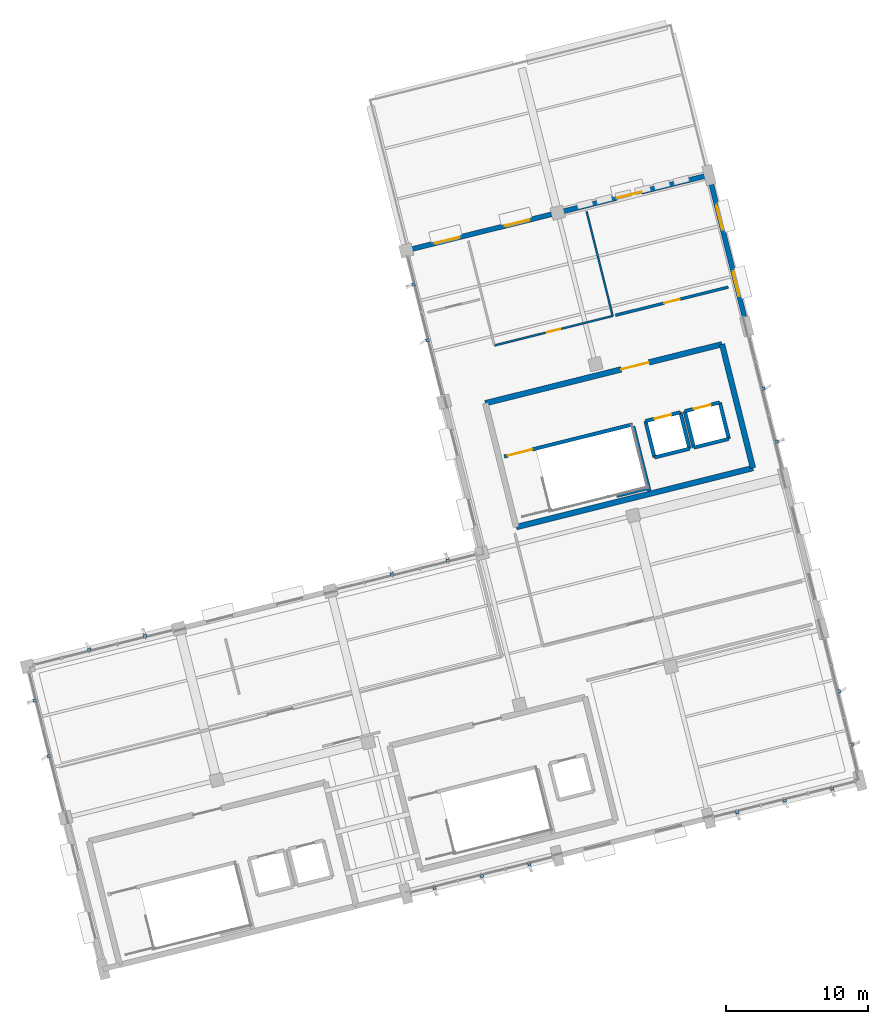
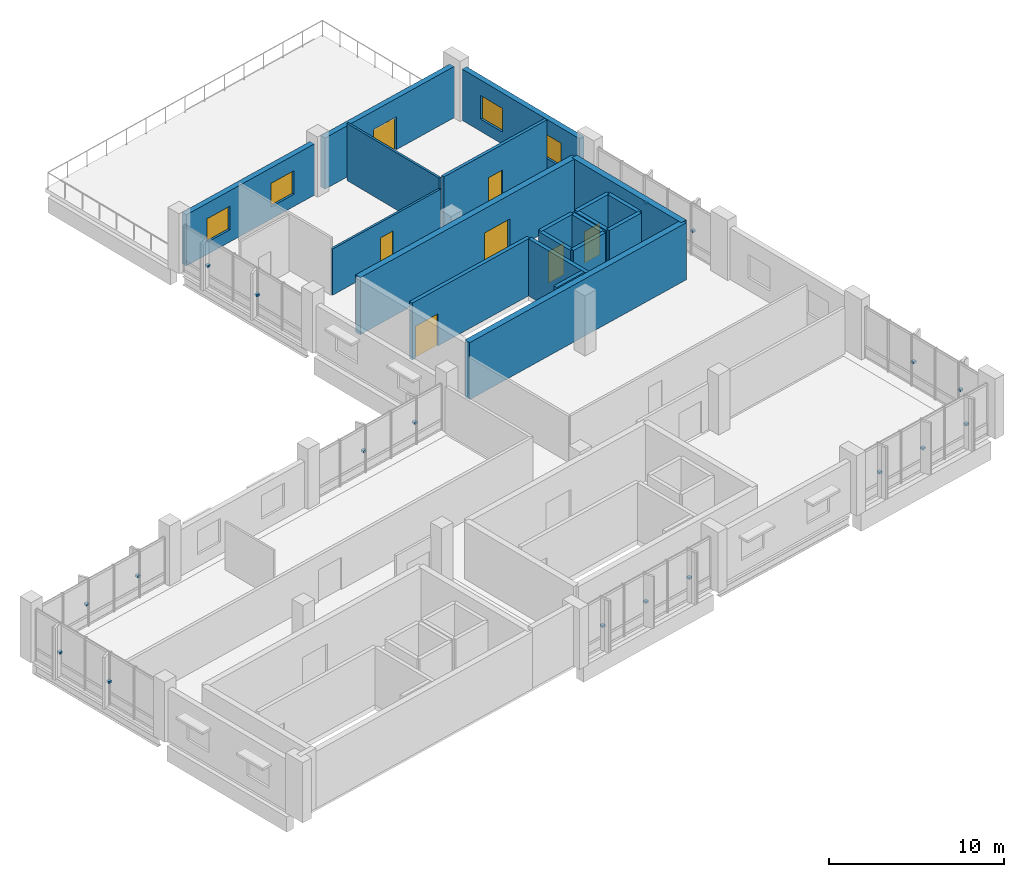
# One storey, part 20 of 22: 20 walls, 18 discrete accessories, 7 doors, 4 windows, 11 openings.
"""IFC4 building model written with IfcOpenShell, lengths in metres."""

from ifc_helpers import new_model, si_unit, direction, frame, frame_2d, origin, origin_2d, place, context, subcontext, project, spatial, rectangle, extrude, material, layer, layer_set, type_object, element, fill, save


model = new_model("IFC4")

# Units and contexts
model_context = context("Model", 3, precision=1e-05, world=origin(), true_north=direction((0.0, 1.0)))
body_context = subcontext(model_context, "Body", "Model", "MODEL_VIEW")
ifc_project = project(units=[si_unit("LENGTHUNIT", "METRE"), si_unit("AREAUNIT", "SQUARE_METRE"), si_unit("VOLUMEUNIT", "CUBIC_METRE"), si_unit("PLANEANGLEUNIT", "RADIAN"), si_unit("MASSUNIT", "GRAM", prefix="KILO")], contexts=[model_context])

# Site, building, storey
site_placement = place(None, origin())
site = spatial("IfcSite", under=ifc_project, at=site_placement, CompositionType="ELEMENT")
building_placement = place(site_placement, origin())
building = spatial("IfcBuilding", under=site, at=building_placement, Name="Khorjan Park Terminus", CompositionType="ELEMENT")
storey_placement = place(building_placement, frame((0.0, 0.0, 24.6)))
storey = spatial("IfcBuildingStorey", under=building, at=storey_placement, Name="L05", CompositionType="ELEMENT", Elevation=24.6)

# Walls
ifc_material_1 = material(Name="Concrete C50/60", Category="concrete")
ifc_layer_1 = layer(ifc_material_1, 0.4)
ifc_layer_set_1 = layer_set([ifc_layer_1], Name="Concrete C50/60")
wall_type_1 = type_object("IfcWallType", Name="CW-40", PredefinedType="SHEAR", material=ifc_layer_set_1)
wall_1_placement = place(storey_placement, frame((205.7973, 35.8328, 0.0), z_axis=(0.0, 0.0, 1.0), x_axis=(0.970295179998, 0.241924086589, 0.0)))
element("IfcWall", 1, at=wall_1_placement, inside=storey, type_object=wall_type_1, Name="Operations North-East Firefighting Core concrete shear wall CW-40 (L05-E1)", PredefinedType="SHEAR", context=body_context, shape_type="SweptSolid", body=[
    extrude(rectangle(XDim=17.2, YDim=0.4, at=frame_2d((8.6, 0.0))), origin(), (0.0, 0.0, 1.0), 3.98),
])
wall_2_placement = place(storey_placement, frame((222.4864, 39.9939, 0.0), z_axis=(0.0, 0.0, 1.0), x_axis=(-0.241923808098, 0.970295249435, 0.0)))
element("IfcWall", 2, at=wall_2_placement, inside=storey, type_object=wall_type_1, Name="Operations North-East Firefighting Core concrete shear wall CW-40 (L05-E2)", PredefinedType="SHEAR", context=body_context, shape_type="SweptSolid", body=[
    extrude(rectangle(XDim=8.9999, YDim=0.4, at=frame_2d((4.5, 0.0))), origin(), (0.0, 0.0, 1.0), 3.98),
])

# Wall, opening, door
wall_3_placement = place(storey_placement, frame((220.3091, 48.7265, 0.0), z_axis=(0.0, 0.0, 1.0), x_axis=(-0.970296544738, -0.241918612906, 0.0)))
wall_3 = element("IfcWall", 3, at=wall_3_placement, inside=storey, type_object=wall_type_1, Name="Operations North-East Firefighting Core concrete shear wall CW-40 (L05-E3)", PredefinedType="SHEAR", context=body_context, shape_type="SweptSolid", body=[
    extrude(rectangle(XDim=17.2, YDim=0.4, at=frame_2d((8.6, 0.0))), origin(), (0.0, 0.0, 1.0), 3.98),
])
opening_1_placement = place(wall_3_placement, frame((5.32, 0.0, 0.0)))
opening_1 = element("IfcOpeningElement", 4, at=opening_1_placement, cuts=wall_3, Name="Opening FD-20", PredefinedType="OPENING", context=body_context, shape_type="SweptSolid", body=[
    extrude(rectangle(XDim=2.0, YDim=2.3, at=frame_2d((1.0, 1.15))), frame((0.0, 0.21, 0.0), z_axis=(0.0, -1.0, 0.0), x_axis=(1.0, 0.0, 0.0)), (0.0, 0.0, 1.0), 0.42),
])
ifc_material_2 = material(Name="Fire-Rated Steel Double Door", Category="steel")
door_type_1 = type_object("IfcDoorType", Name="FD-20", OperationType="NOTDEFINED", PredefinedType="DOOR", material=ifc_material_2)
door_1_placement = place(opening_1_placement, origin())
door_1 = element("IfcDoor", 5, at=door_1_placement, inside=storey, type_object=door_type_1, Name="Operations North-East Firefighting Core fire-rated exit door FD-20 (L05)", OperationType="DOUBLE_DOOR_SINGLE_SWING", OverallHeight=2.3, OverallWidth=2.0, PredefinedType="DOOR", context=body_context, shape_type="SweptSolid", body=[
    extrude(rectangle(XDim=2.0, YDim=2.3, at=frame_2d((1.0, 1.15))), frame((0.0, 0.025, 0.0), z_axis=(0.0, -1.0, 0.0), x_axis=(1.0, 0.0, 0.0)), (0.0, 0.0, 1.0), 0.05),
])
fill(opening_1, door_1)

# Wall, openings, windows
ifc_material_3 = material(Name="Pigmented Precast GRC & Concrete C40/50", Category="concrete")
ifc_layer_2 = layer(ifc_material_3, 0.35)
ifc_layer_set_2 = layer_set([ifc_layer_2], Name="Pigmented Precast GRC & Concrete C40/50")
wall_type_2 = type_object("IfcWallType", Name="EW-35", PredefinedType="STANDARD", material=ifc_layer_set_2)
wall_4_placement = place(storey_placement, frame((221.8951, 50.6322, 0.0), z_axis=(0.0, 0.0, 1.0), x_axis=(-0.241910213289, 0.970298638929, 0.0)))
wall_4 = element("IfcWall", 6, at=wall_4_placement, inside=storey, type_object=wall_type_2, Name="External pigmented-GRC insulated wall EW-35 (EW-V5-E-L05-B04)", PredefinedType="STANDARD", context=body_context, shape_type="SweptSolid", body=[
    extrude(rectangle(XDim=9.6697, YDim=0.35, at=frame_2d((4.8349, 0.0))), origin(), (0.0, 0.0, 1.0), 3.575),
])
opening_2_placement = place(wall_4_placement, frame((1.5174, 0.0, 0.85)))
opening_2 = element("IfcOpeningElement", 7, at=opening_2_placement, cuts=wall_4, Name="Opening WN-18", PredefinedType="OPENING", context=body_context, shape_type="SweptSolid", body=[
    extrude(rectangle(XDim=1.8, YDim=1.65, at=frame_2d((0.9, 0.825))), frame((0.0, 0.185, 0.0), z_axis=(0.0, -1.0, 0.0), x_axis=(1.0, 0.0, 0.0)), (0.0, 0.0, 1.0), 0.37),
])
opening_3_placement = place(wall_4_placement, frame((6.3523, 0.0, 0.85)))
opening_3 = element("IfcOpeningElement", 8, at=opening_3_placement, cuts=wall_4, Name="Opening WN-18", PredefinedType="OPENING", context=body_context, shape_type="SweptSolid", body=[
    extrude(rectangle(XDim=1.8, YDim=1.65, at=frame_2d((0.9, 0.825))), frame((0.0, 0.185, 0.0), z_axis=(0.0, -1.0, 0.0), x_axis=(1.0, 0.0, 0.0)), (0.0, 0.0, 1.0), 0.37),
])
ifc_material_4 = material(Name="Anodized Bronze Aluminium & Low-E Glass", Category="aluminium")
window_type = type_object("IfcWindowType", Name="WN-18", PartitioningType="SINGLE_PANEL", PredefinedType="WINDOW", material=ifc_material_4)
window_1_placement = place(opening_2_placement, origin())
window_1 = element("IfcWindow", 9, at=window_1_placement, inside=storey, type_object=window_type, Name="Solar-control exterior window WN-18 (WN-EW-V5-E-L05-B04-1)", OverallHeight=1.65, OverallWidth=1.8, PartitioningType="SINGLE_PANEL", PredefinedType="WINDOW", context=body_context, shape_type="SweptSolid", body=[
    extrude(rectangle(XDim=1.8, YDim=1.65, at=frame_2d((0.9, 0.825))), frame((0.0, 0.03, 0.0), z_axis=(0.0, -1.0, 0.0), x_axis=(1.0, 0.0, 0.0)), (0.0, 0.0, 1.0), 0.06),
])
fill(opening_2, window_1)
window_2_placement = place(opening_3_placement, origin())
window_2 = element("IfcWindow", 10, at=window_2_placement, inside=storey, type_object=window_type, Name="Solar-control exterior window WN-18 (WN-EW-V5-E-L05-B04-2)", OverallHeight=1.65, OverallWidth=1.8, PartitioningType="SINGLE_PANEL", PredefinedType="WINDOW", context=body_context, shape_type="SweptSolid", body=[
    extrude(rectangle(XDim=1.8, YDim=1.65, at=frame_2d((0.9, 0.825))), frame((0.0, 0.03, 0.0), z_axis=(0.0, -1.0, 0.0), x_axis=(1.0, 0.0, 0.0)), (0.0, 0.0, 1.0), 0.06),
])
fill(opening_3, window_2)

# Wall, opening, door
wall_5_placement = place(storey_placement, frame((219.0894, 60.5837, 0.0), z_axis=(0.0, 0.0, 1.0), x_axis=(-0.970295240562, -0.241923843686, 0.0)))
wall_5 = element("IfcWall", 11, at=wall_5_placement, inside=storey, type_object=wall_type_2, Name="External pigmented-GRC insulated wall EW-35 (EW-V5-N-L05-B01)", PredefinedType="STANDARD", context=body_context, shape_type="SweptSolid", body=[
    extrude(rectangle(XDim=10.2698, YDim=0.35, at=frame_2d((5.1349, 0.0))), origin(), (0.0, 0.0, 1.0), 3.575),
])
opening_4_placement = place(wall_5_placement, frame((4.6, 0.0, 0.0)))
opening_4 = element("IfcOpeningElement", 12, at=opening_4_placement, cuts=wall_5, Name="Opening ED-18", PredefinedType="OPENING", context=body_context, shape_type="SweptSolid", body=[
    extrude(rectangle(XDim=1.8, YDim=2.3, at=frame_2d((0.9, 1.15))), frame((0.0, 0.185, 0.0), z_axis=(0.0, -1.0, 0.0), x_axis=(1.0, 0.0, 0.0)), (0.0, 0.0, 1.0), 0.37),
])
ifc_material_5 = material(Name="Anodized Bronze Aluminium & Safety Glass", Category="aluminium")
door_type_2 = type_object("IfcDoorType", Name="ED-18", OperationType="NOTDEFINED", PredefinedType="DOOR", material=ifc_material_5)
door_2_placement = place(opening_4_placement, origin())
door_2 = element("IfcDoor", 13, at=door_2_placement, inside=storey, type_object=door_type_2, Name="Exterior door ED-18 (DR-EW-V5-N-L05-B01)", OperationType="DOUBLE_DOOR_SINGLE_SWING", OverallHeight=2.3, OverallWidth=1.8, PredefinedType="DOOR", context=body_context, shape_type="SweptSolid", body=[
    extrude(rectangle(XDim=1.8, YDim=2.3, at=frame_2d((0.9, 1.15))), frame((0.0, 0.025, 0.0), z_axis=(0.0, -1.0, 0.0), x_axis=(1.0, 0.0, 0.0)), (0.0, 0.0, 1.0), 0.05),
])
fill(opening_4, door_2)

# Wall, openings, windows
wall_6_placement = place(storey_placement, frame((208.3194, 57.8984, 0.0), z_axis=(0.0, 0.0, 1.0), x_axis=(-0.970296149297, -0.241920198949, 0.0)))
wall_6 = element("IfcWall", 14, at=wall_6_placement, inside=storey, type_object=wall_type_2, Name="External pigmented-GRC insulated wall EW-35 (EW-V5-N-L05-B02)", PredefinedType="STANDARD", context=body_context, shape_type="SweptSolid", body=[
    extrude(rectangle(XDim=10.1707, YDim=0.35, at=frame_2d((5.0854, 0.0))), origin(), (0.0, 0.0, 1.0), 3.575),
])
opening_5_placement = place(wall_6_placement, frame((1.6427, 0.0, 0.85)))
opening_5 = element("IfcOpeningElement", 15, at=opening_5_placement, cuts=wall_6, Name="Opening WN-18", PredefinedType="OPENING", context=body_context, shape_type="SweptSolid", body=[
    extrude(rectangle(XDim=1.8, YDim=1.65, at=frame_2d((0.9, 0.825))), frame((0.0, 0.185, 0.0), z_axis=(0.0, -1.0, 0.0), x_axis=(1.0, 0.0, 0.0)), (0.0, 0.0, 1.0), 0.37),
])
opening_6_placement = place(wall_6_placement, frame((6.728, 0.0, 0.85)))
opening_6 = element("IfcOpeningElement", 16, at=opening_6_placement, cuts=wall_6, Name="Opening WN-18", PredefinedType="OPENING", context=body_context, shape_type="SweptSolid", body=[
    extrude(rectangle(XDim=1.8, YDim=1.65, at=frame_2d((0.9, 0.825))), frame((0.0, 0.185, 0.0), z_axis=(0.0, -1.0, 0.0), x_axis=(1.0, 0.0, 0.0)), (0.0, 0.0, 1.0), 0.37),
])
window_3_placement = place(opening_5_placement, origin())
window_3 = element("IfcWindow", 17, at=window_3_placement, inside=storey, type_object=window_type, Name="Solar-control exterior window WN-18 (WN-EW-V5-N-L05-B02-1)", OverallHeight=1.65, OverallWidth=1.8, PartitioningType="SINGLE_PANEL", PredefinedType="WINDOW", context=body_context, shape_type="SweptSolid", body=[
    extrude(rectangle(XDim=1.8, YDim=1.65, at=frame_2d((0.9, 0.825))), frame((0.0, 0.03, 0.0), z_axis=(0.0, -1.0, 0.0), x_axis=(1.0, 0.0, 0.0)), (0.0, 0.0, 1.0), 0.06),
])
fill(opening_5, window_3)
window_4_placement = place(opening_6_placement, origin())
window_4 = element("IfcWindow", 18, at=window_4_placement, inside=storey, type_object=window_type, Name="Solar-control exterior window WN-18 (WN-EW-V5-N-L05-B02-2)", OverallHeight=1.65, OverallWidth=1.8, PartitioningType="SINGLE_PANEL", PredefinedType="WINDOW", context=body_context, shape_type="SweptSolid", body=[
    extrude(rectangle(XDim=1.8, YDim=1.65, at=frame_2d((0.9, 0.825))), frame((0.0, 0.03, 0.0), z_axis=(0.0, -1.0, 0.0), x_axis=(1.0, 0.0, 0.0)), (0.0, 0.0, 1.0), 0.06),
])
fill(opening_6, window_4)

# Wall
ifc_material_6 = material(Name="Moisture-Resistant Sanitary Partition")
ifc_layer_3 = layer(ifc_material_6, 0.14)
ifc_layer_set_3 = layer_set([ifc_layer_3], Name="Moisture-Resistant Sanitary Partition")
wall_type_3 = type_object("IfcWallType", Name="PT-14", PredefinedType="PARTITIONING", material=ifc_layer_set_3)
wall_7_placement = place(storey_placement, frame((210.7591, 58.0944, 0.0), z_axis=(0.0, 0.0, 1.0), x_axis=(0.241922569678, -0.970295558209, 0.0)))
element("IfcWall", 19, at=wall_7_placement, inside=storey, type_object=wall_type_3, Name="Interior acoustic partition PT-14 (L05-SWC5)", PredefinedType="PARTITIONING", context=body_context, shape_type="SweptSolid", body=[
    extrude(rectangle(XDim=7.6, YDim=0.14, at=frame_2d((3.8, 0.0))), origin(), (0.0, 0.0, 1.0), 3.98),
])

# Wall, opening, door
wall_8_placement = place(storey_placement, frame((212.5977, 50.7202, 0.0), z_axis=(0.0, 0.0, 1.0), x_axis=(-0.970296884994, -0.241917248188, 0.0)))
wall_8 = element("IfcWall", 20, at=wall_8_placement, inside=storey, type_object=wall_type_3, Name="Interior acoustic partition PT-14 (L05-SWC5)", PredefinedType="PARTITIONING", context=body_context, shape_type="SweptSolid", body=[
    extrude(rectangle(XDim=8.6, YDim=0.14, at=frame_2d((4.3, 0.0))), origin(), (0.0, 0.0, 1.0), 3.225),
])
opening_7_placement = place(wall_8_placement, frame((3.8, 0.0, 0.0)))
opening_7 = element("IfcOpeningElement", 21, at=opening_7_placement, cuts=wall_8, Name="Opening ID-10", PredefinedType="OPENING", context=body_context, shape_type="SweptSolid", body=[
    extrude(rectangle(XDim=1.0, YDim=2.15, at=frame_2d((0.5, 1.075))), frame((0.0, 0.08, 0.0), z_axis=(0.0, -1.0, 0.0), x_axis=(1.0, 0.0, 0.0)), (0.0, 0.0, 1.0), 0.16),
])
ifc_material_7 = material(Name="Acoustic Fire-Rated Single Door")
door_type_3 = type_object("IfcDoorType", Name="ID-10", OperationType="NOTDEFINED", PredefinedType="DOOR", material=ifc_material_7)
door_3_placement = place(opening_7_placement, origin())
door_3 = element("IfcDoor", 22, at=door_3_placement, inside=storey, type_object=door_type_3, Name="Interior door ID-10 (L05-SWC5)", OperationType="SINGLE_SWING_RIGHT", OverallHeight=2.15, OverallWidth=1.0, PredefinedType="DOOR", context=body_context, shape_type="SweptSolid", body=[
    extrude(rectangle(XDim=1.0, YDim=2.15, at=frame_2d((0.5, 1.075))), frame((0.0, 0.025, 0.0), z_axis=(0.0, -1.0, 0.0), x_axis=(1.0, 0.0, 0.0)), (0.0, 0.0, 1.0), 0.05),
])
fill(opening_7, door_3)

ifc_material_8 = material(Name="Fire-Rated Acoustic Masonry & Drywall", Category="masonry")
ifc_layer_4 = layer(ifc_material_8, 0.2)
ifc_layer_set_4 = layer_set([ifc_layer_4], Name="Fire-Rated Acoustic Masonry & Drywall")
wall_type_4 = type_object("IfcWallType", Name="PT-20", PredefinedType="PARTITIONING", material=ifc_layer_set_4)
wall_9_placement = place(storey_placement, frame((220.7482, 52.7523, 0.0), z_axis=(0.0, 0.0, 1.0), x_axis=(-0.97029796636, -0.241912910937, 0.0)))
wall_9 = element("IfcWall", 23, at=wall_9_placement, inside=storey, type_object=wall_type_4, Name="Interior acoustic partition PT-20 (L05-MEP5)", PredefinedType="PARTITIONING", context=body_context, shape_type="SweptSolid", body=[
    extrude(rectangle(XDim=8.2001, YDim=0.2, at=frame_2d((4.1001, 0.0))), origin(), (0.0, 0.0, 1.0), 3.98),
])
opening_8_placement = place(wall_9_placement, frame((3.55, 0.0, 0.0)))
opening_8 = element("IfcOpeningElement", 24, at=opening_8_placement, cuts=wall_9, Name="Opening FD-11", PredefinedType="OPENING", context=body_context, shape_type="SweptSolid", body=[
    extrude(rectangle(XDim=1.1, YDim=2.2, at=frame_2d((0.55, 1.1))), frame((0.0, 0.11, 0.0), z_axis=(0.0, -1.0, 0.0), x_axis=(1.0, 0.0, 0.0)), (0.0, 0.0, 1.0), 0.22),
])
ifc_material_9 = material(Name="Fire-Rated Steel Single Door", Category="steel")
door_type_4 = type_object("IfcDoorType", Name="FD-11", OperationType="NOTDEFINED", PredefinedType="DOOR", material=ifc_material_9)
door_4_placement = place(opening_8_placement, origin())
door_4 = element("IfcDoor", 25, at=door_4_placement, inside=storey, type_object=door_type_4, Name="Interior door FD-11 (L05-MEP5)", OperationType="SINGLE_SWING_LEFT", OverallHeight=2.2, OverallWidth=1.1, PredefinedType="DOOR", context=body_context, shape_type="SweptSolid", body=[
    extrude(rectangle(XDim=1.1, YDim=2.2, at=frame_2d((0.55, 1.1))), frame((0.0, 0.025, 0.0), z_axis=(0.0, -1.0, 0.0), x_axis=(1.0, 0.0, 0.0)), (0.0, 0.0, 1.0), 0.05),
])
fill(opening_8, door_4)

# Walls
ifc_material_10 = material(Name="Concrete C40/50", Category="concrete")
ifc_layer_5 = layer(ifc_material_10, 0.25)
ifc_layer_set_5 = layer_set([ifc_layer_5], Name="Concrete C40/50")
wall_type_5 = type_object("IfcWallType", Name="SW-25", PredefinedType="SOLIDWALL", material=ifc_layer_set_5)
wall_10_placement = place(storey_placement, frame((215.548, 40.7477, 0.0), z_axis=(0.0, 0.0, 1.0), x_axis=(0.97029284861, 0.241933436994, 0.0)))
element("IfcWall", 26, at=wall_10_placement, inside=storey, type_object=wall_type_5, Name="Lift L07 concrete shaft wall SW-25 (L05-1)", PredefinedType="SOLIDWALL", context=body_context, shape_type="SweptSolid", body=[
    extrude(rectangle(XDim=2.54, YDim=0.25, at=frame_2d((1.27, 0.0))), origin(), (0.0, 0.0, 1.0), 3.98),
])
wall_11_placement = place(storey_placement, frame((218.0125, 41.3622, 0.0), z_axis=(0.0, 0.0, 1.0), x_axis=(-0.241938414856, 0.970291607413, 0.0)))
element("IfcWall", 27, at=wall_11_placement, inside=storey, type_object=wall_type_5, Name="Lift L07 concrete shaft wall SW-25 (L05-2)", PredefinedType="SOLIDWALL", context=body_context, shape_type="SweptSolid", body=[
    extrude(rectangle(XDim=2.6399, YDim=0.25, at=frame_2d((1.3199, 0.0))), origin(), (0.0, 0.0, 1.0), 3.98),
])

# Wall, opening, door
wall_12_placement = place(storey_placement, frame((217.3738, 43.9237, 0.0), z_axis=(0.0, 0.0, 1.0), x_axis=(-0.97029284861, -0.241933436994, 0.0)))
wall_12 = element("IfcWall", 28, at=wall_12_placement, inside=storey, type_object=wall_type_5, Name="Lift L07 concrete shaft wall SW-25 (L05-3)", PredefinedType="SOLIDWALL", context=body_context, shape_type="SweptSolid", body=[
    extrude(rectangle(XDim=2.54, YDim=0.25, at=frame_2d((1.27, 0.0))), origin(), (0.0, 0.0, 1.0), 3.98),
])
opening_9_placement = place(wall_12_placement, frame((0.67, 0.0, 0.0)))
opening_9 = element("IfcOpeningElement", 29, at=opening_9_placement, cuts=wall_12, Name="Opening LD-12", PredefinedType="OPENING", context=body_context, shape_type="SweptSolid", body=[
    extrude(rectangle(XDim=1.2, YDim=2.2, at=frame_2d((0.6, 1.1))), frame((0.0, 0.135, 0.0), z_axis=(0.0, -1.0, 0.0), x_axis=(1.0, 0.0, 0.0)), (0.0, 0.0, 1.0), 0.27),
])
ifc_material_11 = material(Name="Stainless-Steel Lift Landing Sliding Door", Category="steel")
door_type_5 = type_object("IfcDoorType", Name="LD-12", OperationType="NOTDEFINED", PredefinedType="DOOR", material=ifc_material_11)
door_5_placement = place(opening_9_placement, origin())
door_5 = element("IfcDoor", 30, at=door_5_placement, inside=storey, type_object=door_type_5, Name="Lift L07 sliding landing door LD-12 (L05)", OperationType="SLIDING_TO_LEFT", OverallHeight=2.2, OverallWidth=1.2, PredefinedType="DOOR", context=body_context, shape_type="SweptSolid", body=[
    extrude(rectangle(XDim=1.2, YDim=2.2, at=frame_2d((0.6, 1.1))), frame((0.0, 0.025, 0.0), z_axis=(0.0, -1.0, 0.0), x_axis=(1.0, 0.0, 0.0)), (0.0, 0.0, 1.0), 0.05),
])
fill(opening_9, door_5)

# Walls
wall_13_placement = place(storey_placement, frame((214.9093, 43.3092, 0.0), z_axis=(0.0, 0.0, 1.0), x_axis=(0.241938414856, -0.970291607413, 0.0)))
element("IfcWall", 31, at=wall_13_placement, inside=storey, type_object=wall_type_5, Name="Lift L07 concrete shaft wall SW-25 (L05-4)", PredefinedType="SOLIDWALL", context=body_context, shape_type="SweptSolid", body=[
    extrude(rectangle(XDim=2.6399, YDim=0.25, at=frame_2d((1.3199, 0.0))), origin(), (0.0, 0.0, 1.0), 3.98),
])
wall_14_placement = place(storey_placement, frame((218.323, 41.4396, 0.0), z_axis=(0.0, 0.0, 1.0), x_axis=(0.97029284861, 0.241933436994, 0.0)))
element("IfcWall", 32, at=wall_14_placement, inside=storey, type_object=wall_type_5, Name="Lift L08 concrete shaft wall SW-25 (L05-1)", PredefinedType="SOLIDWALL", context=body_context, shape_type="SweptSolid", body=[
    extrude(rectangle(XDim=2.54, YDim=0.25, at=frame_2d((1.27, 0.0))), origin(), (0.0, 0.0, 1.0), 3.98),
])
wall_15_placement = place(storey_placement, frame((220.7875, 42.0541, 0.0), z_axis=(0.0, 0.0, 1.0), x_axis=(-0.241938414856, 0.970291607413, 0.0)))
element("IfcWall", 33, at=wall_15_placement, inside=storey, type_object=wall_type_5, Name="Lift L08 concrete shaft wall SW-25 (L05-2)", PredefinedType="SOLIDWALL", context=body_context, shape_type="SweptSolid", body=[
    extrude(rectangle(XDim=2.6399, YDim=0.25, at=frame_2d((1.3199, 0.0))), origin(), (0.0, 0.0, 1.0), 3.98),
])

# Wall, opening, door
wall_16_placement = place(storey_placement, frame((220.1488, 44.6156, 0.0), z_axis=(0.0, 0.0, 1.0), x_axis=(-0.97029284861, -0.241933436994, 0.0)))
wall_16 = element("IfcWall", 34, at=wall_16_placement, inside=storey, type_object=wall_type_5, Name="Lift L08 concrete shaft wall SW-25 (L05-3)", PredefinedType="SOLIDWALL", context=body_context, shape_type="SweptSolid", body=[
    extrude(rectangle(XDim=2.54, YDim=0.25, at=frame_2d((1.27, 0.0))), origin(), (0.0, 0.0, 1.0), 3.98),
])
opening_10_placement = place(wall_16_placement, frame((0.67, 0.0, 0.0)))
opening_10 = element("IfcOpeningElement", 35, at=opening_10_placement, cuts=wall_16, Name="Opening LD-12", PredefinedType="OPENING", context=body_context, shape_type="SweptSolid", body=[
    extrude(rectangle(XDim=1.2, YDim=2.2, at=frame_2d((0.6, 1.1))), frame((0.0, 0.135, 0.0), z_axis=(0.0, -1.0, 0.0), x_axis=(1.0, 0.0, 0.0)), (0.0, 0.0, 1.0), 0.27),
])
door_6_placement = place(opening_10_placement, origin())
door_6 = element("IfcDoor", 36, at=door_6_placement, inside=storey, type_object=door_type_5, Name="Lift L08 sliding landing door LD-12 (L05)", OperationType="SLIDING_TO_RIGHT", OverallHeight=2.2, OverallWidth=1.2, PredefinedType="DOOR", context=body_context, shape_type="SweptSolid", body=[
    extrude(rectangle(XDim=1.2, YDim=2.2, at=frame_2d((0.6, 1.1))), frame((0.0, 0.025, 0.0), z_axis=(0.0, -1.0, 0.0), x_axis=(1.0, 0.0, 0.0)), (0.0, 0.0, 1.0), 0.05),
])
fill(opening_10, door_6)

# Wall
wall_17_placement = place(storey_placement, frame((217.6843, 44.0011, 0.0), z_axis=(0.0, 0.0, 1.0), x_axis=(0.241938414856, -0.970291607413, 0.0)))
element("IfcWall", 37, at=wall_17_placement, inside=storey, type_object=wall_type_5, Name="Lift L08 concrete shaft wall SW-25 (L05-4)", PredefinedType="SOLIDWALL", context=body_context, shape_type="SweptSolid", body=[
    extrude(rectangle(XDim=2.6399, YDim=0.25, at=frame_2d((1.3199, 0.0))), origin(), (0.0, 0.0, 1.0), 3.98),
])

# Wall, opening, door
wall_18_placement = place(storey_placement, frame((204.9479, 40.8102, 0.0), z_axis=(0.0, 0.0, 1.0), x_axis=(0.970297151331, 0.241916179943, 0.0)))
wall_18 = element("IfcWall", 38, at=wall_18_placement, inside=storey, type_object=wall_type_5, Name="Operations North-East Firefighting Core structural stairwell wall SW-25 (L05)", PredefinedType="SOLIDWALL", context=body_context, shape_type="SweptSolid", body=[
    extrude(rectangle(XDim=9.345, YDim=0.25, at=frame_2d((4.6725, 0.0))), origin(), (0.0, 0.0, 1.0), 3.98),
])
opening_11_placement = place(wall_18_placement, frame((0.25, 0.0, 0.0)))
opening_11 = element("IfcOpeningElement", 39, at=opening_11_placement, cuts=wall_18, Name="Opening FD-18", PredefinedType="OPENING", context=body_context, shape_type="SweptSolid", body=[
    extrude(rectangle(XDim=1.8, YDim=2.25, at=frame_2d((0.9, 1.125))), frame((0.0, 0.135, 0.0), z_axis=(0.0, -1.0, 0.0), x_axis=(1.0, 0.0, 0.0)), (0.0, 0.0, 1.0), 0.27),
])
door_type_6 = type_object("IfcDoorType", Name="FD-18", OperationType="NOTDEFINED", PredefinedType="DOOR", material=ifc_material_2)
door_7_placement = place(opening_11_placement, origin())
door_7 = element("IfcDoor", 40, at=door_7_placement, inside=storey, type_object=door_type_6, Name="Operations North-East Firefighting Core stairwell fire door FD-18 (L05)", OperationType="DOUBLE_DOOR_SINGLE_SWING", OverallHeight=2.25, OverallWidth=1.8, PredefinedType="DOOR", context=body_context, shape_type="SweptSolid", body=[
    extrude(rectangle(XDim=1.8, YDim=2.25, at=frame_2d((0.9, 1.125))), frame((0.0, 0.025, 0.0), z_axis=(0.0, -1.0, 0.0), x_axis=(1.0, 0.0, 0.0)), (0.0, 0.0, 1.0), 0.05),
])
fill(opening_11, door_7)

# Walls
wall_19_placement = place(storey_placement, frame((215.185, 38.3795, 0.0), z_axis=(0.0, 0.0, 1.0), x_axis=(-0.241911120435, 0.970298412763, 0.0)))
element("IfcWall", 41, at=wall_19_placement, inside=storey, type_object=wall_type_5, Name="Operations North-East Firefighting Core stairwell end bearing wall SW-25 (L05)", PredefinedType="SOLIDWALL", context=body_context, shape_type="SweptSolid", body=[
    extrude(rectangle(XDim=4.71, YDim=0.25, at=frame_2d((2.355, 0.0))), origin(), (0.0, 0.0, 1.0), 3.98),
])
wall_20_placement = place(storey_placement, frame((212.8747, 38.0354, 0.0), z_axis=(0.0, 0.0, 1.0), x_axis=(0.97029738597, 0.241915238833, 0.0)))
element("IfcWall", 42, at=wall_20_placement, inside=storey, type_object=wall_type_5, Name="Operations North-East Firefighting Core half-landing bearing wall SW-25 (L05)", PredefinedType="SOLIDWALL", context=body_context, shape_type="SweptSolid", body=[
    extrude(rectangle(XDim=2.1999, YDim=0.25, at=frame_2d((1.0999, 0.0))), origin(), (0.0, 0.0, 1.0), 3.98),
])

# Discrete accessories
ifc_material_12 = material(Name="Steel S355", Category="steel")
discrete_accessory_type = type_object("IfcDiscreteAccessoryType", Name="ACC-BRK-FIN", PredefinedType="BRACKET", material=ifc_material_12)
for number, where, z_axis, x_axis, name in (
    (43, (200.034, 10.3929, 1.5388), (0.0, 0.0, 1.0), (0.970294772494, 0.241925720978, 0.0), "Solar fin structural bracket BK-01 (CW-V5-S-L05-B03-1)"),
    (44, (203.3783, 11.2267, 1.5388), (0.0, 0.0, 1.0), (0.970294772494, 0.241925720978, 0.0), "Solar fin structural bracket BK-01 (CW-V5-S-L05-B03-3)"),
    (45, (206.7226, 12.0606, 1.5388), (0.0, 0.0, 1.0), (0.970294772494, 0.241925720978, 0.0), "Solar fin structural bracket BK-01 (CW-V5-S-L05-B03-5)"),
    (46, (221.3803, 15.7151, 1.5388), (0.0, 0.0, 1.0), (0.970296464407, 0.241918935098, 0.0), "Solar fin structural bracket BK-01 (CW-V5-S-L05-B05-1)"),
    (47, (224.7248, 16.549, 1.5388), (0.0, 0.0, 1.0), (0.970296464407, 0.241918935098, 0.0), "Solar fin structural bracket BK-01 (CW-V5-S-L05-B05-3)"),
    (48, (228.0694, 17.3829, 1.5388), (0.0, 0.0, 1.0), (0.970296464407, 0.241918935098, 0.0), "Solar fin structural bracket BK-01 (CW-V5-S-L05-B05-5)"),
    (49, (229.4959, 20.5192, 1.5388), (0.0, 0.0, 1.0), (-0.241920488516, 0.9702960771, 0.0), "Solar fin structural bracket BK-01 (CW-V5-E-L05-B01-1)"),
    (50, (228.563, 24.2607, 1.5388), (0.0, 0.0, 1.0), (-0.241920488516, 0.9702960771, 0.0), "Solar fin structural bracket BK-01 (CW-V5-E-L05-B01-3)"),
    (51, (224.1736, 41.8656, 1.5388), (0.0, 0.0, 1.0), (-0.241922975976, 0.970295456907, 0.0), "Solar fin structural bracket BK-01 (CW-V5-E-L05-B03-1)"),
    (52, (223.2407, 45.6073, 1.5388), (0.0, 0.0, 1.0), (-0.241922975976, 0.970295456907, 0.0), "Solar fin structural bracket BK-01 (CW-V5-E-L05-B03-3)"),
    (53, (198.5557, 52.9311, 1.3812), (0.0, 0.0, 1.0), (0.24193231064, -0.970293129455, 0.0), "Solar fin structural bracket BK-01 (CW-V5-NW1-L05-B01-1)"),
    (54, (199.537, 48.9952, 1.3812), (0.0, 0.0, 1.0), (0.24193231064, -0.970293129455, 0.0), "Solar fin structural bracket BK-01 (CW-V5-NW1-L05-B01-3)"),
    (55, (200.964, 33.4837, 1.3812), (0.0, 0.0, 1.0), (-0.970294289952, -0.241927656308, 0.0), "Solar fin structural bracket BK-01 (CW-V5-NW2-L05-B01-1)"),
    (56, (197.0283, 32.5024, 1.3812), (0.0, 0.0, 1.0), (-0.970294289952, -0.241927656308, 0.0), "Solar fin structural bracket BK-01 (CW-V5-NW2-L05-B01-3)"),
    (57, (179.6173, 28.1614, 1.3812), (0.0, 0.0, 1.0), (-0.9702960401, -0.241920636916, 0.0), "Solar fin structural bracket BK-01 (CW-V5-NW2-L05-B03-1)"),
    (58, (175.6819, 27.1802, 1.3812), (0.0, 0.0, 1.0), (-0.9702960401, -0.241920636916, 0.0), "Solar fin structural bracket BK-01 (CW-V5-NW2-L05-B03-3)"),
    (59, (171.8583, 23.601, 1.5388), (0.0, 0.0, 1.0), (0.241927656308, -0.970294289952, 0.0), "Solar fin structural bracket BK-01 (CW-V5-W-L05-B01-1)"),
    (60, (172.8396, 19.6653, 1.5388), (0.0, 0.0, 1.0), (0.241927656308, -0.970294289952, 0.0), "Solar fin structural bracket BK-01 (CW-V5-W-L05-B01-3)"),
):
    element("IfcDiscreteAccessory", number, at=place(storey_placement, frame(where, z_axis=z_axis, x_axis=x_axis)), inside=storey, type_object=discrete_accessory_type, Name=name, PredefinedType="BRACKET", context=body_context, shape_type="SweptSolid", body=[
        extrude(rectangle(XDim=0.22, YDim=0.22, at=origin_2d()), origin(), (0.0, 0.0, 1.0), 0.14),
    ])

save(model, "model.ifc")
